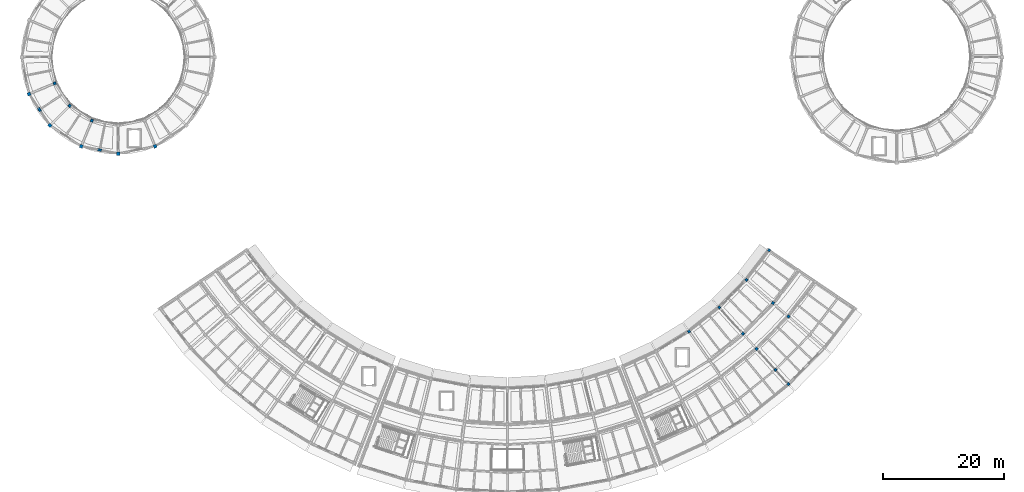
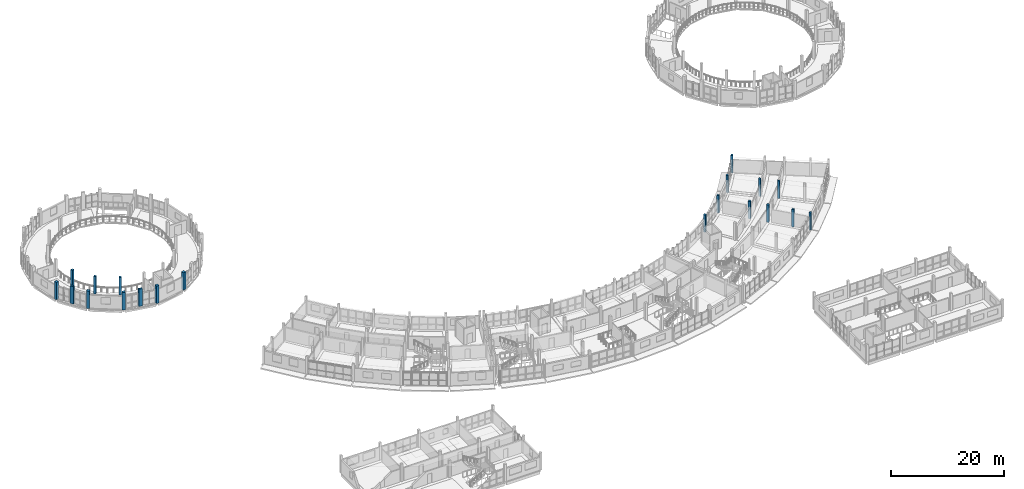
# One storey, part 12 of 77: 20 columns.
"""IFC4 building model written with IfcOpenShell, lengths in metres."""

from ifc_helpers import new_model, si_unit, direction, frame, origin, origin_2d, place, context, subcontext, project, spatial, rectangle, extrude, material, material_profile, profile_set, type_object, element, save


model = new_model("IFC4")

# Units and contexts
model_context = context("Model", 3, precision=1e-05, world=origin(), true_north=direction((0.0, 1.0)))
body_context = subcontext(model_context, "Body", "Model", "MODEL_VIEW")
ifc_project = project(units=[si_unit("LENGTHUNIT", "METRE"), si_unit("AREAUNIT", "SQUARE_METRE"), si_unit("VOLUMEUNIT", "CUBIC_METRE"), si_unit("PLANEANGLEUNIT", "RADIAN"), si_unit("MASSUNIT", "GRAM", prefix="KILO")], contexts=[model_context])

# Site, building, storey
site_placement = place(None, origin())
site = spatial("IfcSite", under=ifc_project, at=site_placement, CompositionType="ELEMENT")
building_placement = place(site_placement, origin())
building = spatial("IfcBuilding", under=site, at=building_placement, Name="Caldaven Crescent School", CompositionType="ELEMENT")
storey_placement = place(building_placement, frame((0.0, 0.0, 4.419921875)))
storey = spatial("IfcBuildingStorey", under=building, at=storey_placement, Name="L01", CompositionType="ELEMENT", Elevation=4.419921875)

# Columns
ifc_material_1 = material(Name="Glulam MLE24h (GL28h)", Category="wood")
ifc_material_profile_1 = material_profile(ifc_material_1, rectangle(XDim=0.389892578125, YDim=0.389892578125, at=origin_2d()), Name="MLE 390x390")
ifc_profile_set_1 = profile_set([ifc_material_profile_1], Name="Glulam MLE24h (GL28h)")
column_type_1 = type_object("IfcColumnType", Name="COL-GL39", PredefinedType="COLUMN", material=ifc_profile_set_1)
for number, where, z_axis, x_axis, name in (
    (1, (118.083984375, 53.035400390625, 0.0), (0.0, 0.0, 1.0), (0.573576436351, -0.819152044289, 0.0), "COL-V4E-L01-02-0"),
    (2, (123.095947265625, 57.02197265625, 0.0), (0.0, 0.0, 1.0), (0.669130606359, -0.743144825477, 0.0), "COL-V4E-L01-03-0"),
    (3, (132.396728515625, 46.6923828125, 0.0), (0.0, 0.0, 1.0), (0.669130606359, -0.743144825477, 0.0), "COL-V4E-L01-03-3"),
    (4, (134.5380859375, 44.314208984375, 0.0), (0.0, 0.0, 1.0), (0.669130606359, -0.743144825477, 0.0), "COL-V4E-L01-03-4"),
    (5, (127.58447265625, 61.589599609375, 0.0), (0.0, 0.0, 1.0), (0.754709580223, -0.656059028991, 0.0), "COL-V4E-L01-04-0"),
    (6, (131.362548828125, 66.492431640625, 0.0), (0.0, 0.0, 1.0), (0.826786154745, -0.562516359159, 0.0), "COL-V4E-L01-05-0"),
):
    element("IfcColumn", number, at=place(storey_placement, frame(where, z_axis=z_axis, x_axis=x_axis)), inside=storey, type_object=column_type_1, Name=name, PredefinedType="COLUMN", context=body_context, shape_type="SweptSolid", body=[
        extrude(rectangle(XDim=0.389892578125, YDim=0.389892578125, at=origin_2d()), origin(), (0.0, 0.0, 1.0), 3.739990234375),
    ])
ifc_material_profile_2 = material_profile(ifc_material_1, rectangle(XDim=0.419921875, YDim=0.419921875, at=origin_2d()), Name="MLE 420x420")
ifc_profile_set_2 = profile_set([ifc_material_profile_2], Name="Glulam MLE24h (GL28h)")
column_type_2 = type_object("IfcColumnType", Name="COL-GL42", PredefinedType="COLUMN", material=ifc_profile_set_2)
for number, where, z_axis, x_axis, name in (
    (7, (12.9677734375, 94.137451171875, 0.0), (0.0, 0.0, 1.0), (-0.923879532511, -0.382683432365, 0.0), "COL-V2-L01-GAL-09"),
    (8, (15.43896484375, 90.43896484375, 0.0), (0.0, 0.0, 1.0), (-0.707106781187, -0.707106781187, 0.0), "COL-V2-L01-GAL-10"),
    (9, (19.137451171875, 87.9677734375, 0.0), (0.0, 0.0, 1.0), (-0.382683432365, -0.923879532511, 0.0), "COL-V2-L01-GAL-11"),
    (10, (127.01025390625, 52.674560546875, 0.0), (0.0, 0.0, 1.0), (0.669130606359, -0.743144825477, 0.0), "COL-V4E-L01-03-1"),
    (11, (129.285400390625, 50.14794921875, 0.0), (0.0, 0.0, 1.0), (0.669130606359, -0.743144825477, 0.0), "COL-V4E-L01-03-2"),
    (12, (131.99951171875, 57.751708984375, 0.0), (0.0, 0.0, 1.0), (0.754709580223, -0.656059028991, 0.0), "COL-V4E-L01-04-1"),
    (13, (134.565673828125, 55.521240234375, 0.0), (0.0, 0.0, 1.0), (0.754709580223, -0.656059028991, 0.0), "COL-V4E-L01-04-2"),
):
    element("IfcColumn", number, at=place(storey_placement, frame(where, z_axis=z_axis, x_axis=x_axis)), inside=storey, type_object=column_type_2, Name=name, PredefinedType="COLUMN", context=body_context, shape_type="SweptSolid", body=[
        extrude(rectangle(XDim=0.419921875, YDim=0.419921875, at=origin_2d()), origin(), (0.0, 0.0, 1.0), 3.739990234375),
    ])
ifc_material_2 = material(Name="Concrete C35/45", Category="concrete")
ifc_material_profile_3 = material_profile(ifc_material_2, rectangle(XDim=0.550048828125, YDim=0.550048828125, at=origin_2d()), Name="RC 550x550")
ifc_profile_set_3 = profile_set([ifc_material_profile_3], Name="Concrete C35/45")
column_type_3 = type_object("IfcColumnType", Name="COL-RC55", PredefinedType="COLUMN", material=ifc_profile_set_3)
for number, where, z_axis, x_axis, name in (
    (14, (8.718017578125, 92.376953125, 0.0), (0.0, 0.0, 1.0), (-0.923879532511, -0.382683432365, 0.0), "COL-V2-L01-OUT-09"),
    (15, (12.186279296875, 87.186279296875, 0.0), (0.0, 0.0, 1.0), (-0.707106781187, -0.707106781187, 0.0), "COL-V2-L01-OUT-10"),
    (16, (17.376953125, 83.718017578125, 0.0), (0.0, 0.0, 1.0), (-0.382683432365, -0.923879532511, 0.0), "COL-V2-L01-OUT-11"),
    (17, (23.5, 82.5, 0.0), (0.0, 0.0, 1.0), (0.0, -1.0, 0.0), "COL-V2-L01-OUT-12"),
    (18, (29.623046875, 83.718017578125, 0.0), (0.0, 0.0, 1.0), (0.382683432365, -0.923879532511, 0.0), "COL-V2-L01-OUT-13"),
):
    element("IfcColumn", number, at=place(storey_placement, frame(where, z_axis=z_axis, x_axis=x_axis)), inside=storey, type_object=column_type_3, Name=name, PredefinedType="COLUMN", context=body_context, shape_type="SweptSolid", body=[
        extrude(rectangle(XDim=0.550048828125, YDim=0.550048828125, at=origin_2d()), origin(), (0.0, 0.0, 1.0), 3.739990234375),
    ])
ifc_material_3 = material(Name="Concrete C30/37", Category="concrete")
ifc_material_profile_4 = material_profile(ifc_material_3, rectangle(XDim=0.35009765625, YDim=0.64990234375, at=origin_2d()), Name="RC 350x650")
ifc_profile_set_4 = profile_set([ifc_material_profile_4], Name="Concrete C30/37")
column_type_4 = type_object("IfcColumnType", Name="PIL-RC35", PredefinedType="PILASTER", material=ifc_profile_set_4)
for number, where, z_axis, x_axis, name in (
    (19, (10.4521484375, 89.78173828125, 0.0), (0.0, 0.0, 1.0), (-0.831469612303, -0.55557023302, 0.0), "PIL-V2-L01-04"),
    (20, (20.4384765625, 83.10888671875, 0.0), (0.0, 0.0, 1.0), (-0.195090322016, -0.980785280403, 0.0), "PIL-V2-L01-05"),
):
    element("IfcColumn", number, at=place(storey_placement, frame(where, z_axis=z_axis, x_axis=x_axis)), inside=storey, type_object=column_type_4, Name=name, PredefinedType="PILASTER", context=body_context, shape_type="SweptSolid", body=[
        extrude(rectangle(XDim=0.35009765625, YDim=0.64990234375, at=origin_2d()), origin(), (0.0, 0.0, 1.0), 3.739990234375),
    ])

save(model, "model.ifc")
